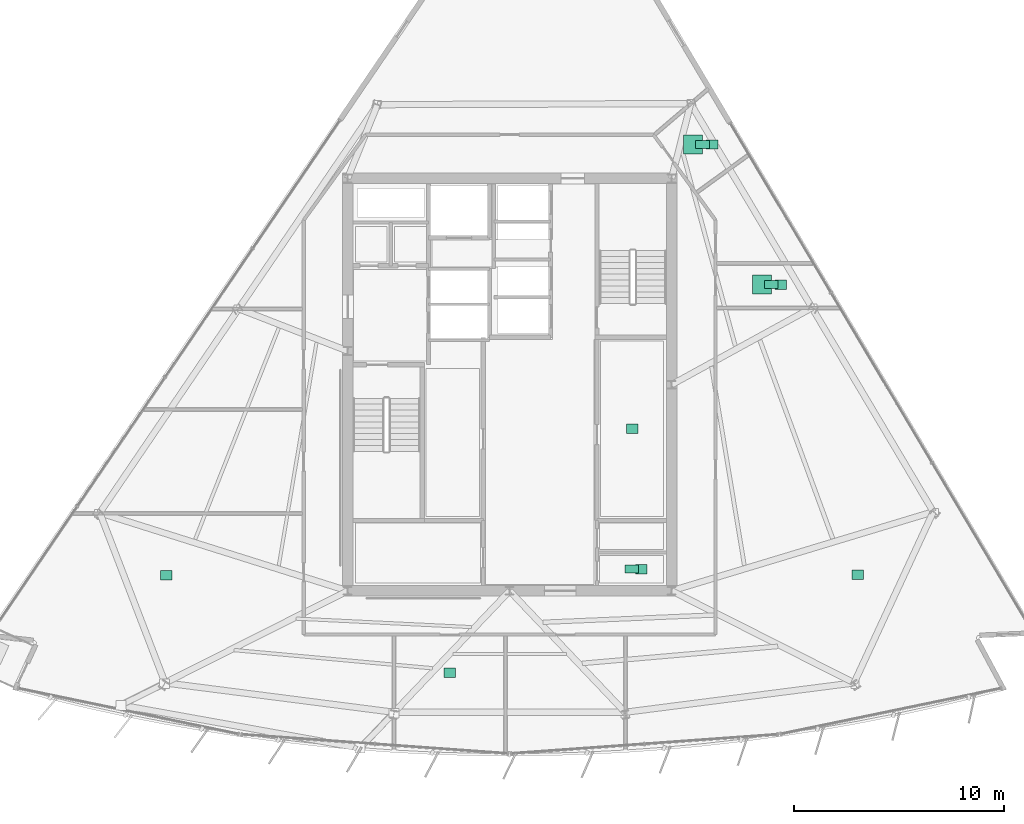
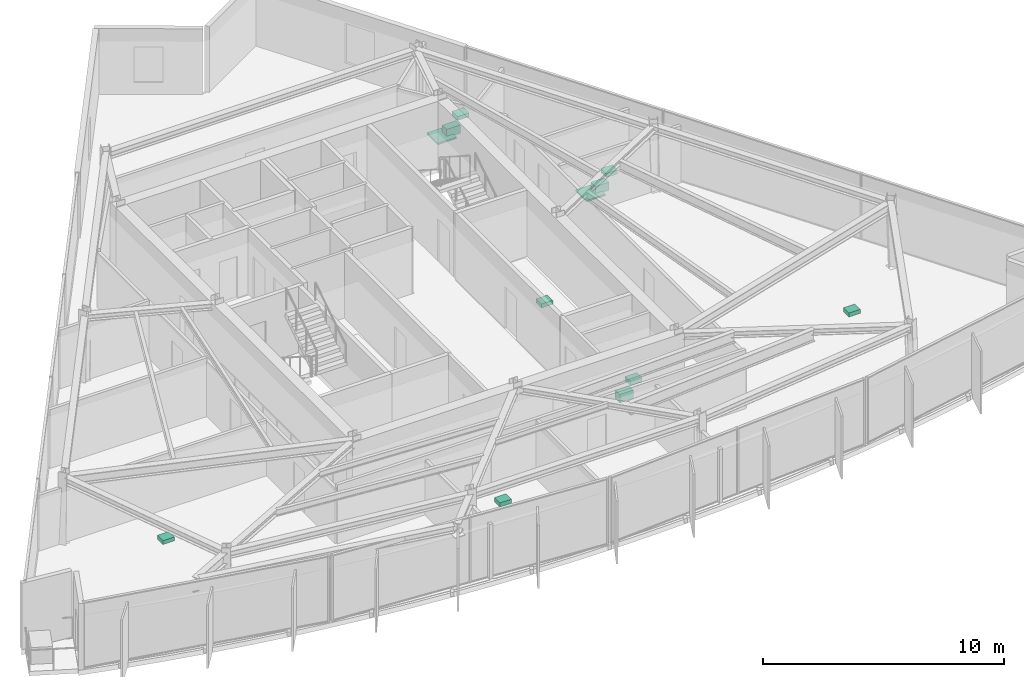
# One storey, part 13 of 13: 12 sanitary terminals.
"""IFC4 building model written with IfcOpenShell, lengths in metres."""

from ifc_helpers import new_model, si_unit, direction, frame, origin, origin_2d, place, context, subcontext, project, spatial, rectangle, extrude, material, type_object, element, save


model = new_model("IFC4")

# Units and contexts
model_context = context("Model", 3, precision=1e-05, world=origin(), true_north=direction((0.0, 1.0)))
body_context = subcontext(model_context, "Body", "Model", "MODEL_VIEW")
ifc_project = project(units=[si_unit("LENGTHUNIT", "METRE"), si_unit("AREAUNIT", "SQUARE_METRE"), si_unit("VOLUMEUNIT", "CUBIC_METRE"), si_unit("PLANEANGLEUNIT", "RADIAN"), si_unit("MASSUNIT", "GRAM", prefix="KILO")], contexts=[model_context])

# Site, building, storey
site_placement = place(None, origin())
site = spatial("IfcSite", under=ifc_project, at=site_placement, CompositionType="ELEMENT")
building_placement = place(site_placement, origin())
building = spatial("IfcBuilding", under=site, at=building_placement, Name="Savorim Split Tower", CompositionType="ELEMENT")
storey_placement = place(building_placement, frame((0.0, 0.0, 223.5)))
storey = spatial("IfcBuildingStorey", under=building, at=storey_placement, Name="L59", CompositionType="ELEMENT", Elevation=223.5)

# Sanitary terminals
ifc_material = material(Name="Vitreous China Sanitaryware")
sanitary_terminal_type_1 = type_object("IfcSanitaryTerminalType", Name="SAN-SHW-900", PredefinedType="SHOWER", material=ifc_material)
for number, where, z_axis, x_axis, name in (
    (1, (11.990234375, 5.154296875, 0.0), (0.0, 0.0, 1.0), (1.0, 0.0, 0.0), "L59 Shared Bathroom Shower"),
    (2, (8.7177734375, 11.8125, 0.0), (0.0, 0.0, 1.0), (1.0, 0.0, 0.0), "L59 Shared Bathroom Shower"),
):
    element("IfcSanitaryTerminal", number, at=place(storey_placement, frame(where, z_axis=z_axis, x_axis=x_axis)), inside=storey, type_object=sanitary_terminal_type_1, Name=name, PredefinedType="SHOWER", context=body_context, shape_type="SweptSolid", body=[
        extrude(rectangle(XDim=0.89990234375, YDim=0.89990234375, at=origin_2d()), origin(), (0.0, 0.0, 1.0), 0.080078125),
    ])
sanitary_terminal_type_2 = type_object("IfcSanitaryTerminalType", Name="SAN-WC-PAN", PredefinedType="TOILETPAN", material=ifc_material)
for number, where, z_axis, x_axis, name in (
    (3, (5.800048828125, -8.3701171875, 0.0), (0.0, 0.0, 1.0), (1.0, 0.0, 0.0), "L59 Accessible WC WC Pan"),
    (4, (12.440185546875, 5.154296875, 0.0), (0.0, 0.0, 1.0), (1.0, 0.0, 0.0), "L59 Shared Bathroom WC Pan"),
    (5, (9.167724609375, 11.8125, 0.0), (0.0, 0.0, 1.0), (1.0, 0.0, 0.0), "L59 Shared Bathroom WC Pan"),
):
    element("IfcSanitaryTerminal", number, at=place(storey_placement, frame(where, z_axis=z_axis, x_axis=x_axis)), inside=storey, type_object=sanitary_terminal_type_2, Name=name, PredefinedType="TOILETPAN", context=body_context, shape_type="SweptSolid", body=[
        extrude(rectangle(XDim=0.64990234375, YDim=0.3798828125, at=origin_2d()), origin(), (0.0, 0.0, 1.0), 0.419921875),
    ])
sanitary_terminal_type_3 = type_object("IfcSanitaryTerminalType", Name="SAN-WHB-550", PredefinedType="WASHHANDBASIN", material=ifc_material)
for number, where, z_axis, x_axis, name in (
    (6, (5.824951171875, -1.699951171875, 0.75), (0.0, 0.0, 1.0), (1.0, 0.0, 0.0), "L59 Community Laundry Room Utility Sink"),
    (7, (6.25, -8.3701171875, 0.72021484375), (0.0, 0.0, 1.0), (1.0, 0.0, 0.0), "L59 Accessible WC Washhand Basin"),
    (8, (-16.31298828125, -8.66259765625, 0.75), (0.0, 0.0, 1.0), (1.0, 0.0, 0.0), "L59 Community Laundry Room Utility Sink"),
    (9, (-2.84765625, -13.28955078125, 0.75), (0.0, 0.0, 1.0), (1.0, 0.0, 0.0), "L59 Shared Kitchen Utility Sink"),
    (10, (16.541015625, -8.63818359375, 0.75), (0.0, 0.0, 1.0), (1.0, 0.0, 0.0), "L59 Community Laundry Room Utility Sink"),
    (11, (12.890380859375, 5.154296875, 0.72021484375), (0.0, 0.0, 1.0), (1.0, 0.0, 0.0), "L59 Shared Bathroom Washhand Basin"),
    (12, (9.61767578125, 11.8125, 0.72021484375), (0.0, 0.0, 1.0), (1.0, 0.0, 0.0), "L59 Shared Bathroom Washhand Basin"),
):
    element("IfcSanitaryTerminal", number, at=place(storey_placement, frame(where, z_axis=z_axis, x_axis=x_axis)), inside=storey, type_object=sanitary_terminal_type_3, Name=name, PredefinedType="WASHHANDBASIN", context=body_context, shape_type="SweptSolid", body=[
        extrude(rectangle(XDim=0.550048828125, YDim=0.449951171875, at=origin_2d()), origin(), (0.0, 0.0, 1.0), 0.199951171875),
    ])

save(model, "model.ifc")
